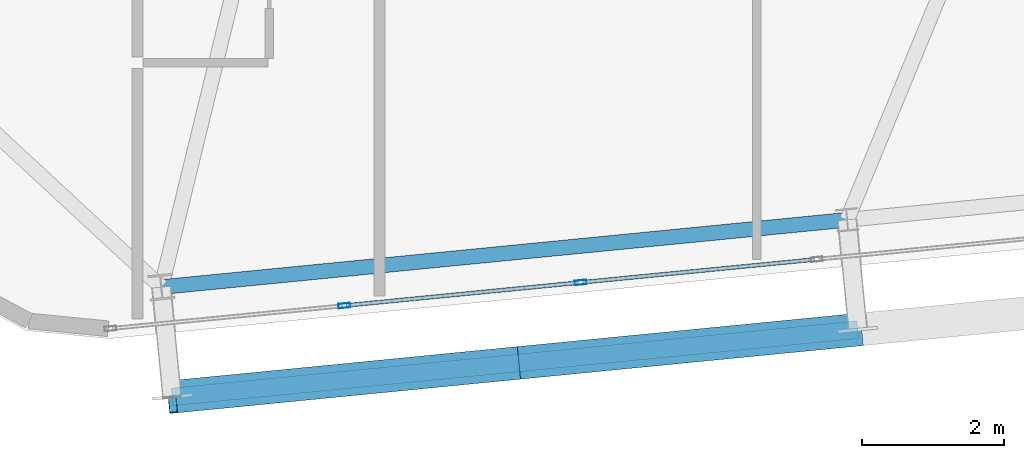
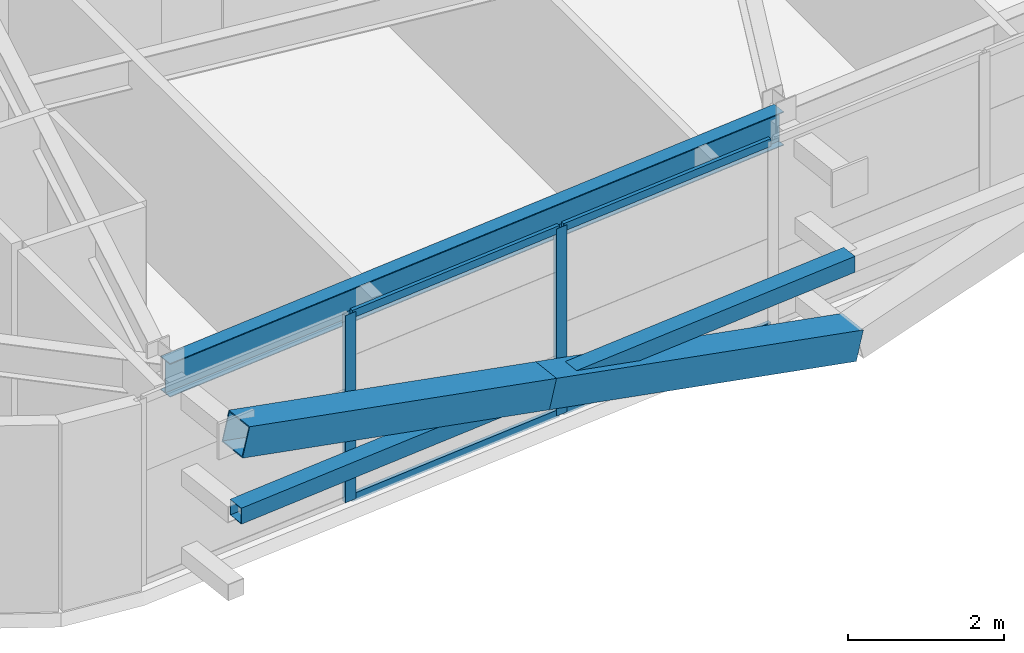
# One storey, part 6 of 54: 9 members, 1 beam, 1 element without a shape of its own.
"""IFC4 building model written with IfcOpenShell, lengths in metres."""

from ifc_helpers import new_model, si_unit, direction, frame, origin, origin_2d, place, context, subcontext, project, spatial, hollow_rectangle, i_section, extrude, source, transform, mapped, material, layer, layer_set, material_profile, profile_set, type_object, element, aggregate, save


model = new_model("IFC4")

# Units and contexts
model_context = context("Model", 3, precision=1e-05, world=origin(), true_north=direction((0.0, 1.0)))
body_context = subcontext(model_context, "Body", "Model", "MODEL_VIEW")
ifc_project = project(units=[si_unit("LENGTHUNIT", "METRE"), si_unit("AREAUNIT", "SQUARE_METRE"), si_unit("VOLUMEUNIT", "CUBIC_METRE"), si_unit("PLANEANGLEUNIT", "RADIAN"), si_unit("MASSUNIT", "GRAM", prefix="KILO")], contexts=[model_context])

# Site, building, storey
site_placement = place(None, origin())
site = spatial("IfcSite", under=ifc_project, at=site_placement, CompositionType="ELEMENT")
building_placement = place(site_placement, origin())
building = spatial("IfcBuilding", under=site, at=building_placement, Name="Taldren Reach Tower", CompositionType="ELEMENT")
storey_placement = place(building_placement, frame((0.0, 0.0, 102.89990234375)))
storey = spatial("IfcBuildingStorey", under=building, at=storey_placement, Name="L31", CompositionType="ELEMENT", Elevation=102.89990234375)

# Beam
ifc_material_1 = material(Name="Steel Gr 350 (350PLUS)", Category="steel")
ifc_material_profile_1 = material_profile(ifc_material_1, i_section(OverallWidth=0.208984375, OverallDepth=0.528076171875, WebThickness=0.009521484375, FlangeThickness=0.01318359375, at=origin_2d()), Name="530UB82.0")
ifc_profile_set_1 = profile_set([ifc_material_profile_1], Name="Steel Gr 350 (350PLUS)")
beam_type = type_object("IfcBeamType", Name="SP-UB530B", PredefinedType="SPANDREL", material=ifc_profile_set_1)
shared_shape_1 = source(origin(), body_context, "Body", "SweptSolid", [
    extrude(i_section(OverallWidth=0.208984375, OverallDepth=0.528076171875, WebThickness=0.009521484375, FlangeThickness=0.01318359375, at=origin_2d()), origin(), (0.0, 0.0, 1.0), 9.679931640625),
])
beam_placement = place(storey_placement, frame((14.93408203125, -0.079833984375, 2.666015625), z_axis=(0.995227612658, 0.097580730699, 0.0), x_axis=(-0.097580730699, 0.995227612658, 0.0)))
element("IfcBeam", 1, at=beam_placement, inside=storey, type_object=beam_type, Name="Perimeter spandrel B2 S1-S2 L31", PredefinedType="SPANDREL", context=body_context, shape_type="MappedRepresentation", body=[
    mapped(shared_shape_1, transform((0.0, 0.0, 0.0), scale=1.0)),
])

# Members
ifc_material_2 = material(Name="Steel Gr 450 (C450L0)", Category="steel")
ifc_material_profile_2 = material_profile(ifc_material_2, hollow_rectangle(XDim=0.4599609375, YDim=0.4599609375, WallThickness=0.01611328125, at=origin_2d()), Name="460x460x16.0SHS")
ifc_profile_set_2 = profile_set([ifc_material_profile_2], Name="Steel Gr 450 (C450L0)")
member_type_1 = type_object("IfcMemberType", Name="MB-EXO457", PredefinedType="BRACE", material=ifc_profile_set_2)
shared_shape_2 = source(origin(), body_context, "Body", "SweptSolid", [
    extrude(hollow_rectangle(XDim=0.4599609375, YDim=0.4599609375, WallThickness=0.01611328125, at=origin_2d()), origin(), (0.0, 0.0, 1.0), 4.990234375),
])
for number, where, z_axis, x_axis, name in (
    (2, (24.71923828125, -0.677978515625, 0.22021484375), (-0.965287024526, -0.094620633828, 0.24344998652), (0.097555749586, -0.995230061706, 0.0), "Exoskeleton Diagrid Brace B2-S1 L31"),
    (3, (19.90234375, -1.150146484375, 1.43505859375), (-0.965271056716, -0.094667992638, 0.243494883389), (0.097605711627, -0.995225162995, 0.0), "Exoskeleton Diagrid Brace B2-S1 L31"),
):
    element("IfcMember", number, at=place(storey_placement, frame(where, z_axis=z_axis, x_axis=x_axis)), inside=storey, type_object=member_type_1, Name=name, PredefinedType="BRACE", context=body_context, shape_type="MappedRepresentation", body=[
        mapped(shared_shape_2, transform((0.0, 0.0, 0.0), scale=1.0)),
    ])
ifc_material_3 = material(Name="Steel Gr 350 (C350L0)", Category="steel")
ifc_material_profile_3 = material_profile(ifc_material_3, hollow_rectangle(XDim=0.25, YDim=0.25, WallThickness=0.010009765625, at=origin_2d()), Name="250x250x10.0SHS")
ifc_profile_set_3 = profile_set([ifc_material_profile_3], Name="Steel Gr 350 (C350L0)")
member_type_2 = type_object("IfcMemberType", Name="MB-POST250", PredefinedType="POST", material=ifc_profile_set_3)
shared_shape_3 = source(origin(), body_context, "Body", "SweptSolid", [
    extrude(hollow_rectangle(XDim=0.25, YDim=0.25, WallThickness=0.010009765625, at=origin_2d()), origin(), (0.0, 0.0, 1.0), 9.679931640625),
])
member_1_placement = place(storey_placement, frame((15.08544921875, -1.62255859375, 1.43505859375), z_axis=(0.995227612658, 0.097580730699, 0.0), x_axis=(-0.097580730699, 0.995227612658, 0.0)))
element("IfcMember", 4, at=member_1_placement, inside=storey, type_object=member_type_2, Name="Exoskeleton mid-height ring chord B2-S1 L31", PredefinedType="POST", context=body_context, shape_type="MappedRepresentation", body=[
    mapped(shared_shape_3, transform((0.0, 0.0, 0.0), scale=1.0)),
])

# Curtain wall, members
ifc_material_4 = material(Name="Aluminium and Low-E Glass Unitised System", Category="aluminium")
ifc_layer = layer(ifc_material_4, 0.159912109375)
ifc_layer_set = layer_set([ifc_layer], Name="Aluminium and Low-E Glass Unitised System")
curtain_wall_type = type_object("IfcCurtainWallType", Name="CW-SYS-3", PredefinedType="NOTDEFINED", material=ifc_layer_set)
curtain_wall_placement = place(storey_placement, origin())
curtain_wall = element("IfcCurtainWall", 5, at=curtain_wall_placement, inside=storey, type_object=curtain_wall_type, Name="Unitised curtain wall CW-L31-S", PredefinedType="NOTDEFINED")
ifc_material_5 = material(Name="Anodised Aluminium 6063-T6", Category="aluminium")
ifc_material_profile_4 = material_profile(ifc_material_5, hollow_rectangle(XDim=0.06494140625, YDim=0.1650390625, WallThickness=0.00390625, at=origin_2d()), Name="ALU-165x65x4RHS")
ifc_profile_set_4 = profile_set([ifc_material_profile_4], Name="Anodised Aluminium 6063-T6")
member_type_3 = type_object("IfcMemberType", Name="CW-MUL-165", PredefinedType="MULLION", material=ifc_profile_set_4)
shared_shape_4 = source(origin(), body_context, "Body", "SweptSolid", [
    extrude(hollow_rectangle(XDim=0.06494140625, YDim=0.1650390625, WallThickness=0.00390625, at=origin_2d()), origin(), (0.0, 0.0, 1.0), 2.93017578125),
])
member_2_placement = place(storey_placement, frame((17.505126953125, -0.34033203125, 0.0), z_axis=(0.0, 0.0, 1.0), x_axis=(-0.097582999046, 0.995227390247, 0.0)))
member_2 = element("IfcMember", 6, at=member_2_placement, type_object=member_type_3, Name="CW-3 mullion 2", PredefinedType="MULLION", context=body_context, shape_type="MappedRepresentation", body=[
    mapped(shared_shape_4, transform((0.0, 0.0, 0.0), scale=1.0)),
])
member_3_placement = place(storey_placement, frame((20.822509765625, -0.014892578125, 0.0), z_axis=(0.0, 0.0, 1.0), x_axis=(-0.097582999046, 0.995227390247, 0.0)))
member_3 = element("IfcMember", 7, at=member_3_placement, type_object=member_type_3, Name="CW-3 mullion 3", PredefinedType="MULLION", context=body_context, shape_type="MappedRepresentation", body=[
    mapped(shared_shape_4, transform((0.0, 0.0, 0.0), scale=1.0)),
])
ifc_material_profile_5 = material_profile(ifc_material_5, hollow_rectangle(XDim=0.054931640625, YDim=0.1201171875, WallThickness=0.0029296875, at=origin_2d()), Name="ALU-120x55x3RHS")
ifc_profile_set_5 = profile_set([ifc_material_profile_5], Name="Anodised Aluminium 6063-T6")
member_type_4 = type_object("IfcMemberType", Name="CW-TRN-135", PredefinedType="USERDEFINED", material=ifc_profile_set_5)
shared_shape_5 = source(origin(), body_context, "Body", "SweptSolid", [
    extrude(hollow_rectangle(XDim=0.054931640625, YDim=0.1201171875, WallThickness=0.0029296875, at=origin_2d()), origin(), (0.0, 0.0, 1.0), 3.268310546875),
])
member_4_placement = place(storey_placement, frame((17.53759765625, -0.337158203125, 0.027587890625), z_axis=(0.995222549564, 0.097632355496, 0.0), x_axis=(-0.097632355496, 0.995222549564, 0.0)))
member_4 = element("IfcMember", 8, at=member_4_placement, type_object=member_type_4, Name="CW-3 transom 2.1", ObjectType="TRANSOM", PredefinedType="USERDEFINED", context=body_context, shape_type="MappedRepresentation", body=[
    mapped(shared_shape_5, transform((0.0, 0.0, 0.0), scale=1.0)),
])
member_5_placement = place(storey_placement, frame((17.53759765625, -0.337158203125, 2.902587890625), z_axis=(0.995222549564, 0.097632355496, 0.0), x_axis=(-0.097632355496, 0.995222549564, 0.0)))
member_5 = element("IfcMember", 9, at=member_5_placement, type_object=member_type_4, Name="CW-3 transom 2.2", ObjectType="TRANSOM", PredefinedType="USERDEFINED", context=body_context, shape_type="MappedRepresentation", body=[
    mapped(shared_shape_5, transform((0.0, 0.0, 0.0), scale=1.0)),
])
member_6_placement = place(storey_placement, frame((20.85498046875, -0.01171875, 0.027587890625), z_axis=(0.99522980512, 0.097558367146, 0.0), x_axis=(-0.097558367146, 0.99522980512, 0.0)))
member_6 = element("IfcMember", 10, at=member_6_placement, type_object=member_type_4, Name="CW-3 transom 3.1", ObjectType="TRANSOM", PredefinedType="USERDEFINED", context=body_context, shape_type="MappedRepresentation", body=[
    mapped(shared_shape_5, transform((0.0, 0.0, 0.0), scale=1.0)),
])
member_7_placement = place(storey_placement, frame((20.85498046875, -0.01171875, 2.902587890625), z_axis=(0.99522980512, 0.097558367146, 0.0), x_axis=(-0.097558367146, 0.99522980512, 0.0)))
member_7 = element("IfcMember", 11, at=member_7_placement, type_object=member_type_4, Name="CW-3 transom 3.2", ObjectType="TRANSOM", PredefinedType="USERDEFINED", context=body_context, shape_type="MappedRepresentation", body=[
    mapped(shared_shape_5, transform((0.0, 0.0, 0.0), scale=1.0)),
])
aggregate(curtain_wall, [member_2, member_3, member_4, member_5, member_6, member_7])

save(model, "model.ifc")
